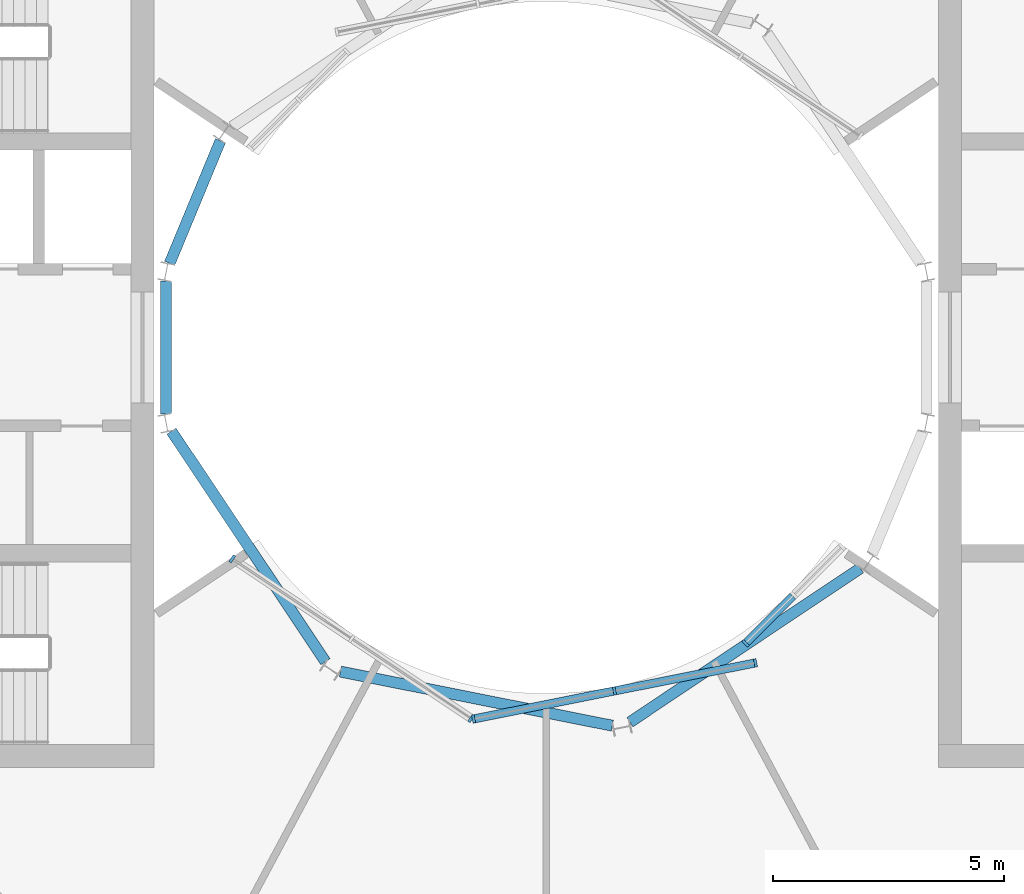
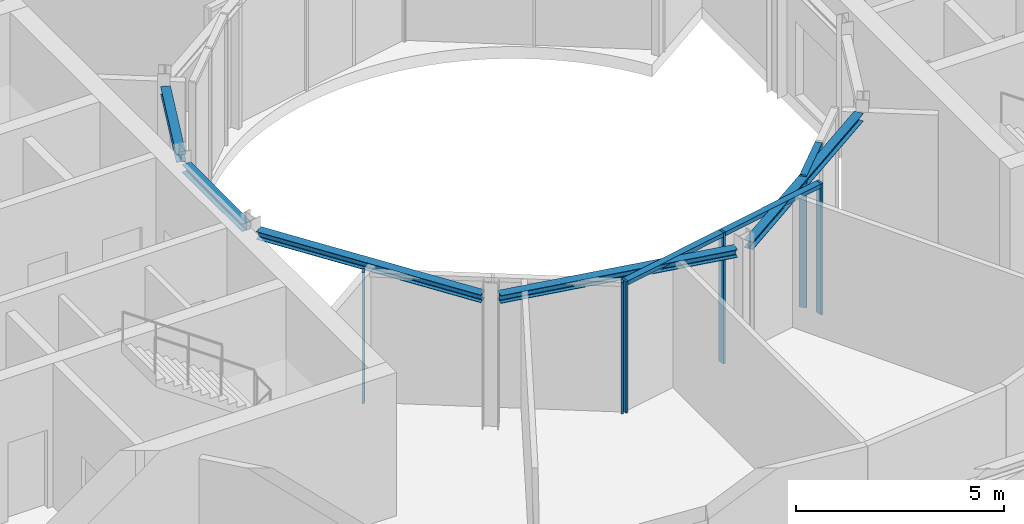
# One storey, part 6 of 21: 9 members, 5 beams, 3 elements without a shape of their own.
"""IFC4 building model written with IfcOpenShell, lengths in metres."""

from ifc_helpers import new_model, si_unit, direction, frame, origin, origin_2d, place, context, subcontext, project, spatial, rectangle, i_section, extrude, material, layer, layer_set, material_profile, profile_set, type_object, element, aggregate, save


model = new_model("IFC4")

# Units and contexts
model_context = context("Model", 3, precision=1e-05, world=origin(), true_north=direction((0.0, 1.0)))
body_context = subcontext(model_context, "Body", "Model", "MODEL_VIEW")
ifc_project = project(units=[si_unit("LENGTHUNIT", "METRE"), si_unit("AREAUNIT", "SQUARE_METRE"), si_unit("VOLUMEUNIT", "CUBIC_METRE"), si_unit("PLANEANGLEUNIT", "RADIAN"), si_unit("MASSUNIT", "GRAM", prefix="KILO")], contexts=[model_context])

# Site, building, storey
site_placement = place(None, origin())
site = spatial("IfcSite", under=ifc_project, at=site_placement, CompositionType="ELEMENT")
building_placement = place(site_placement, origin())
building = spatial("IfcBuilding", under=site, at=building_placement, Name="Maasbend Ring Residences", CompositionType="ELEMENT")
storey_placement = place(building_placement, frame((0.0, 0.0, 157.39990234375)))
storey = spatial("IfcBuildingStorey", under=building, at=storey_placement, Name="L45", CompositionType="ELEMENT", Elevation=157.39990234375)

# Curtain wall, members
ifc_material_1 = material(Name="Aluminium and clear glass", Category="aluminium")
ifc_layer = layer(ifc_material_1, 0.179931640625)
ifc_layer_set = layer_set([ifc_layer], Name="CW-W")
curtain_wall_type = type_object("IfcCurtainWallType", Name="CW-W", PredefinedType="NOTDEFINED", material=ifc_layer_set)
curtain_wall_1_placement = place(storey_placement, origin())
curtain_wall_1 = element("IfcCurtainWall", 1, at=curtain_wall_1_placement, inside=storey, type_object=curtain_wall_type, Name="Well curtain wall S1", PredefinedType="NOTDEFINED")
ifc_material_2 = material(Name="Aluminium 6063-T6", Category="aluminium")
ifc_material_profile_1 = material_profile(ifc_material_2, rectangle(XDim=0.179931640625, YDim=0.06005859375, at=origin_2d()), Name="AL 180x60")
ifc_profile_set_1 = profile_set([ifc_material_profile_1], Name="Aluminium 6063-T6")
member_type_1 = type_object("IfcMemberType", Name="CWM-W", PredefinedType="MULLION", material=ifc_profile_set_1)
member_1_placement = place(storey_placement, frame((-6.805908203125, -4.580810546875, 0.0), z_axis=(0.0, 0.0, 1.0), x_axis=(0.55557023302, 0.831469612303, 0.0)))
member_1 = element("IfcMember", 2, at=member_1_placement, type_object=member_type_1, Name="Mullion well face", PredefinedType="MULLION", context=body_context, shape_type="SweptSolid", body=[
    extrude(rectangle(XDim=0.179931640625, YDim=0.06005859375, at=origin_2d()), origin(), (0.0, 0.0, 1.0), 3.85009765625),
])
member_2_placement = place(storey_placement, frame((-1.627685546875, -8.040771484375, 0.0), z_axis=(0.0, 0.0, 1.0), x_axis=(0.55557023302, 0.831469612303, 0.0)))
member_2 = element("IfcMember", 3, at=member_2_placement, type_object=member_type_1, Name="Mullion well face", PredefinedType="MULLION", context=body_context, shape_type="SweptSolid", body=[
    extrude(rectangle(XDim=0.179931640625, YDim=0.06005859375, at=origin_2d()), origin(), (0.0, 0.0, 1.0), 3.85009765625),
])
aggregate(curtain_wall_1, [member_1, member_2])

curtain_wall_2_placement = place(storey_placement, origin())
curtain_wall_2 = element("IfcCurtainWall", 4, at=curtain_wall_2_placement, inside=storey, type_object=curtain_wall_type, Name="Well curtain wall S2", PredefinedType="NOTDEFINED")
member_3_placement = place(storey_placement, frame((-1.5732421875, -8.0517578125, 0.0), z_axis=(0.0, 0.0, 1.0), x_axis=(-0.195090322016, 0.980785280403, 0.0)))
member_3 = element("IfcMember", 5, at=member_3_placement, type_object=member_type_1, Name="Mullion well face", PredefinedType="MULLION", context=body_context, shape_type="SweptSolid", body=[
    extrude(rectangle(XDim=0.179931640625, YDim=0.06005859375, at=origin_2d()), origin(), (0.0, 0.0, 1.0), 3.85009765625),
])
member_4_placement = place(storey_placement, frame((1.480712890625, -7.444091796875, 0.0), z_axis=(0.0, 0.0, 1.0), x_axis=(-0.195090322016, 0.980785280403, 0.0)))
member_4 = element("IfcMember", 6, at=member_4_placement, type_object=member_type_1, Name="Mullion well face", PredefinedType="MULLION", context=body_context, shape_type="SweptSolid", body=[
    extrude(rectangle(XDim=0.179931640625, YDim=0.06005859375, at=origin_2d()), origin(), (0.0, 0.0, 1.0), 3.85009765625),
])
member_5_placement = place(storey_placement, frame((4.53466796875, -6.836669921875, 0.0), z_axis=(0.0, 0.0, 1.0), x_axis=(-0.195090322016, 0.980785280403, 0.0)))
member_5 = element("IfcMember", 7, at=member_5_placement, type_object=member_type_1, Name="Mullion well face", PredefinedType="MULLION", context=body_context, shape_type="SweptSolid", body=[
    extrude(rectangle(XDim=0.179931640625, YDim=0.06005859375, at=origin_2d()), origin(), (0.0, 0.0, 1.0), 3.85009765625),
])

# Curtain wall, member
curtain_wall_3_placement = place(storey_placement, origin())
curtain_wall_3 = element("IfcCurtainWall", 8, at=curtain_wall_3_placement, inside=storey, type_object=curtain_wall_type, Name="Well curtain wall S3", PredefinedType="NOTDEFINED")
member_6_placement = place(storey_placement, frame((4.320556640625, -6.413330078125, 0.0), z_axis=(0.0, 0.0, 1.0), x_axis=(-0.707106781187, 0.707106781187, 0.0)))
member_6 = element("IfcMember", 9, at=member_6_placement, type_object=member_type_1, Name="Mullion well face", PredefinedType="MULLION", context=body_context, shape_type="SweptSolid", body=[
    extrude(rectangle(XDim=0.179931640625, YDim=0.06005859375, at=origin_2d()), origin(), (0.0, 0.0, 1.0), 3.85009765625),
])

# Member
ifc_material_3 = material(Name="Aluminium 6063-T6", Category="aluminium")
ifc_material_profile_2 = material_profile(ifc_material_3, rectangle(XDim=0.179931640625, YDim=0.1201171875, at=origin_2d()), Name="AL 180x120")
ifc_profile_set_2 = profile_set([ifc_material_profile_2], Name="Aluminium 6063-T6")
member_type_2 = type_object("IfcMemberType", Name="CWT-W", PredefinedType="USERDEFINED", material=ifc_profile_set_2)
member_7_placement = place(storey_placement, frame((-1.5439453125, -8.0458984375, 3.7900390625), z_axis=(0.980776956105, 0.195132166424, 0.0), x_axis=(-0.195132166424, 0.980776956105, 0.0)))
member_7 = element("IfcMember", 10, at=member_7_placement, type_object=member_type_2, Name="Transom well face", ObjectType="TRANSOM", PredefinedType="USERDEFINED", context=body_context, shape_type="SweptSolid", body=[
    extrude(rectangle(XDim=0.179931640625, YDim=0.1201171875, at=origin_2d()), origin(), (0.0, 0.0, 1.0), 3.053955078125),
])

member_8_placement = place(storey_placement, frame((1.51025390625, -7.438232421875, 3.7900390625), z_axis=(0.980789210404, 0.19507056353, 0.0), x_axis=(-0.19507056353, 0.980789210404, 0.0)))
member_8 = element("IfcMember", 11, at=member_8_placement, type_object=member_type_2, Name="Transom well face", ObjectType="TRANSOM", PredefinedType="USERDEFINED", context=body_context, shape_type="SweptSolid", body=[
    extrude(rectangle(XDim=0.179931640625, YDim=0.1201171875, at=origin_2d()), origin(), (0.0, 0.0, 1.0), 3.0537109375),
])

aggregate(curtain_wall_2, [member_3, member_4, member_5, member_7, member_8])

member_9_placement = place(storey_placement, frame((4.341796875, -6.39208984375, 3.7900390625), z_axis=(0.707106781187, 0.707106781187, 0.0), x_axis=(-0.707106781187, 0.707106781187, 0.0)))
member_9 = element("IfcMember", 12, at=member_9_placement, type_object=member_type_2, Name="Transom well face", ObjectType="TRANSOM", PredefinedType="USERDEFINED", context=body_context, shape_type="SweptSolid", body=[
    extrude(rectangle(XDim=0.179931640625, YDim=0.1201171875, at=origin_2d()), origin(), (0.0, 0.0, 1.0), 1.419677734375),
])

aggregate(curtain_wall_3, [member_6, member_9])

# Beams
ifc_material_4 = material(Name="Steel S355J2", Category="steel")
ifc_material_profile_3 = material_profile(ifc_material_4, i_section(OverallWidth=0.239990234375, OverallDepth=0.22998046875, WebThickness=0.007568359375, FlangeThickness=0.011962890625, FilletRadius=0.02099609375, at=origin_2d()), Name="HEA 240")
ifc_profile_set_3 = profile_set([ifc_material_profile_3], Name="Steel S355J2")
beam_type = type_object("IfcBeamType", Name="Well edge beam HEA 240", PredefinedType="BEAM", material=ifc_profile_set_3)
for number, where, z_axis, x_axis, name in (
    (13, (-7.060302734375, 4.483154296875, 3.735107421875), (-0.382748596828, -0.923852537814, 0.0), (0.923852537814, -0.382748596828, 0.0), "Well edge beam"),
    (14, (-8.238525390625, 1.43994140625, 3.735107421875), (0.0, -1.0, 0.0), (1.0, 0.0, 0.0), "Well edge beam"),
):
    element("IfcBeam", number, at=place(storey_placement, frame(where, z_axis=z_axis, x_axis=x_axis)), inside=storey, type_object=beam_type, Name=name, PredefinedType="BEAM", context=body_context, shape_type="SweptSolid", body=[
        extrude(i_section(OverallWidth=0.239990234375, OverallDepth=0.22998046875, WebThickness=0.007568359375, FlangeThickness=0.011962890625, FilletRadius=0.02099609375, at=origin_2d()), origin(), (0.0, 0.0, 1.0), 2.8798828125),
    ])
beam_1_placement = place(storey_placement, frame((-8.121337890625, -1.814208984375, 3.735107421875), z_axis=(0.555553413909, -0.831480850227, 0.0), x_axis=(0.831480850227, 0.555553413909, 0.0)))
element("IfcBeam", 15, at=beam_1_placement, inside=storey, type_object=beam_type, Name="Well edge beam", PredefinedType="BEAM", context=body_context, shape_type="SweptSolid", body=[
    extrude(i_section(OverallWidth=0.239990234375, OverallDepth=0.22998046875, WebThickness=0.007568359375, FlangeThickness=0.011962890625, FilletRadius=0.02099609375, at=origin_2d()), origin(), (0.0, 0.0, 1.0), 6.0068359375),
])
beam_2_placement = place(storey_placement, frame((-4.459716796875, -7.025390625, 3.735107421875), z_axis=(0.980778695042, -0.195123425945, 0.0), x_axis=(0.195123425945, 0.980778695042, 0.0)))
element("IfcBeam", 16, at=beam_2_placement, inside=storey, type_object=beam_type, Name="Well edge beam", PredefinedType="BEAM", context=body_context, shape_type="SweptSolid", body=[
    extrude(i_section(OverallWidth=0.239990234375, OverallDepth=0.22998046875, WebThickness=0.007568359375, FlangeThickness=0.011962890625, FilletRadius=0.02099609375, at=origin_2d()), origin(), (0.0, 0.0, 1.0), 6.007080078125),
])
beam_3_placement = place(storey_placement, frame((1.814208984375, -8.121337890625, 3.735107421875), z_axis=(0.831480850227, 0.555553413909, 0.0), x_axis=(-0.555553413909, 0.831480850227, 0.0)))
element("IfcBeam", 17, at=beam_3_placement, inside=storey, type_object=beam_type, Name="Well edge beam", PredefinedType="BEAM", context=body_context, shape_type="SweptSolid", body=[
    extrude(i_section(OverallWidth=0.239990234375, OverallDepth=0.22998046875, WebThickness=0.007568359375, FlangeThickness=0.011962890625, FilletRadius=0.02099609375, at=origin_2d()), origin(), (0.0, 0.0, 1.0), 6.0068359375),
])

save(model, "model.ifc")
